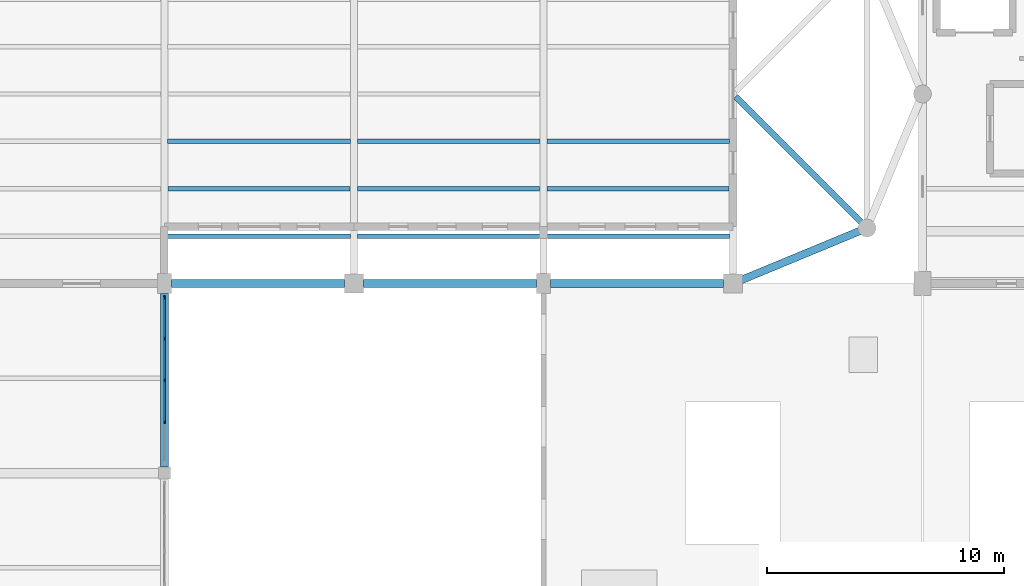
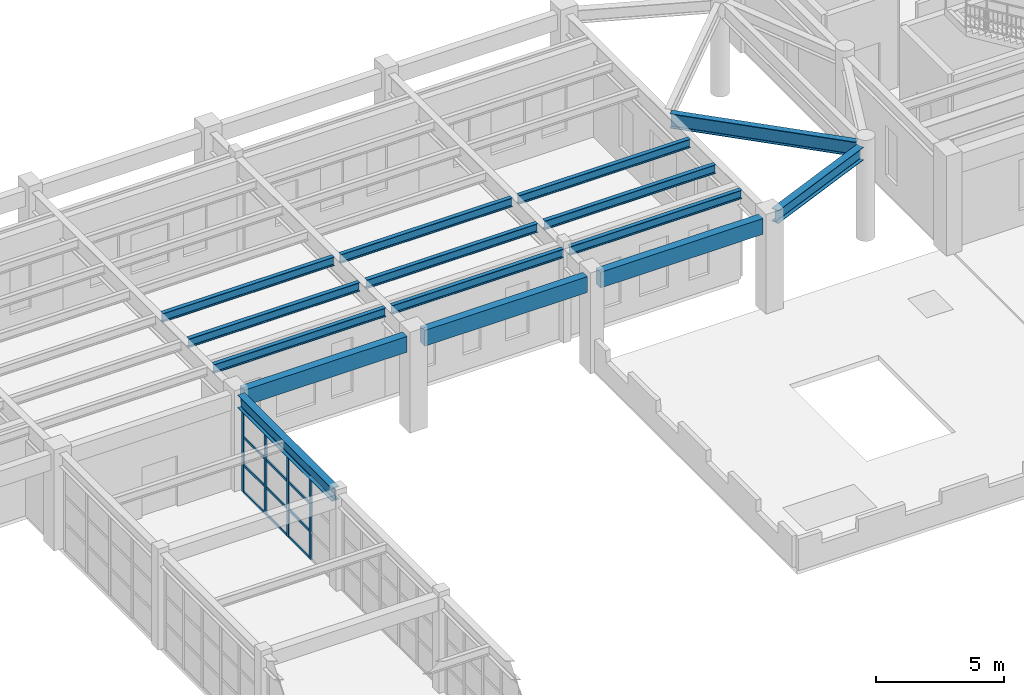
# One storey, part 26 of 59: 16 members, 15 beams, 1 element without a shape of its own.
"""IFC4 building model written with IfcOpenShell, lengths in metres."""

from ifc_helpers import new_model, si_unit, direction, frame, origin, origin_2d, place, context, subcontext, project, spatial, rectangle, i_section, extrude, material, material_profile, profile_set, type_object, element, aggregate, save


model = new_model("IFC4")

# Units and contexts
model_context = context("Model", 3, precision=1e-05, world=origin(), true_north=direction((0.0, 1.0)))
body_context = subcontext(model_context, "Body", "Model", "MODEL_VIEW")
ifc_project = project(units=[si_unit("LENGTHUNIT", "METRE"), si_unit("AREAUNIT", "SQUARE_METRE"), si_unit("VOLUMEUNIT", "CUBIC_METRE"), si_unit("PLANEANGLEUNIT", "RADIAN"), si_unit("MASSUNIT", "GRAM", prefix="KILO")], contexts=[model_context])

# Site, building, storey
site_placement = place(None, origin())
site = spatial("IfcSite", under=ifc_project, at=site_placement, CompositionType="ELEMENT")
building_placement = place(site_placement, origin())
building = spatial("IfcBuilding", under=site, at=building_placement, Name="Serraluz Foothill Cableway Terminal", CompositionType="ELEMENT")
storey_placement = place(building_placement, frame((0.0, 0.0, 4.800048828125)))
storey = spatial("IfcBuildingStorey", under=building, at=storey_placement, Name="L01", CompositionType="ELEMENT", Elevation=4.800048828125)

# Beams
ifc_material_1 = material(Name="Steel ASTM A992 Grade 50", Category="steel")
ifc_material_profile_1 = material_profile(ifc_material_1, i_section(OverallWidth=0.324951171875, OverallDepth=0.615966796875, WebThickness=0.013916015625, FlangeThickness=0.021484375, FilletRadius=0.01806640625, at=origin_2d()), Name="W24X117")
ifc_profile_set_1 = profile_set([ifc_material_profile_1], Name="Steel ASTM A992 Grade 50")
beam_type_1 = type_object("IfcBeamType", Name="TYP-BM-W24X117", PredefinedType="BEAM", material=ifc_profile_set_1)
beam_1_placement = place(storey_placement, frame((128.0, 48.24609375, 4.251953125), z_axis=(0.0, 1.0, 0.0), x_axis=(-1.0, 0.0, 0.0)))
element("IfcBeam", 1, at=beam_1_placement, inside=storey, type_object=beam_type_1, Name="Transverse Girder BM-Y-L01-0286", PredefinedType="BEAM", context=body_context, shape_type="SweptSolid", body=[
    extrude(i_section(OverallWidth=0.324951171875, OverallDepth=0.615966796875, WebThickness=0.013916015625, FlangeThickness=0.021484375, FilletRadius=0.01806640625, at=origin_2d()), origin(), (0.0, 0.0, 1.0), 7.3330078125),
])
beam_2_placement = place(storey_placement, frame((152.314208984375, 56.130126953125, 4.1669921875), z_axis=(0.923888361565, 0.382662116449, 0.0), x_axis=(-0.382662116449, 0.923888361565, 0.0)))
element("IfcBeam", 2, at=beam_2_placement, inside=storey, type_object=beam_type_1, Name="Curved End Ring Beam E-L01-1", PredefinedType="BEAM", context=body_context, shape_type="SweptSolid", body=[
    extrude(i_section(OverallWidth=0.324951171875, OverallDepth=0.615966796875, WebThickness=0.013916015625, FlangeThickness=0.021484375, FilletRadius=0.01806640625, at=origin_2d()), origin(), (0.0, 0.0, 1.0), 5.44287109375),
])
ifc_material_profile_2 = material_profile(ifc_material_1, i_section(OverallWidth=0.256103515625, OverallDepth=0.693115234375, WebThickness=0.014404296875, FlangeThickness=0.023681640625, FilletRadius=0.02001953125, at=origin_2d()), Name="W27X114")
ifc_profile_set_2 = profile_set([ifc_material_profile_2], Name="Steel ASTM A992 Grade 50")
beam_type_2 = type_object("IfcBeamType", Name="TYP-BM-W27X114", PredefinedType="BEAM", material=ifc_profile_set_2)
beam_3_placement = place(storey_placement, frame((152.113037109375, 63.886962890625, 4.12841796875), z_axis=(0.707106781187, -0.707106781187, 0.0), x_axis=(0.707106781187, 0.707106781187, 0.0)))
element("IfcBeam", 3, at=beam_3_placement, inside=storey, type_object=beam_type_2, Name="Radial Station Deck Girder E-L01-1", PredefinedType="BEAM", context=body_context, shape_type="SweptSolid", body=[
    extrude(i_section(OverallWidth=0.256103515625, OverallDepth=0.693115234375, WebThickness=0.014404296875, FlangeThickness=0.023681640625, FilletRadius=0.02001953125, at=origin_2d()), origin(), (0.0, 0.0, 1.0), 7.500244140625),
])

# Curtain wall, members
ifc_material_2 = material(Name="Architectural bronze alloy C28000", Category="aluminium")
curtain_wall_type = type_object("IfcCurtainWallType", Name="TYP-CW-710X420", PredefinedType="NOTDEFINED", material=ifc_material_2)
curtain_wall_placement = place(storey_placement, origin())
curtain_wall = element("IfcCurtainWall", 4, at=curtain_wall_placement, inside=storey, type_object=curtain_wall_type, Name="Ribbed Glazed Curtain Wall CW-CLE-L01-48", PredefinedType="NOTDEFINED")
ifc_material_profile_3 = material_profile(ifc_material_2, rectangle(XDim=0.06005859375, YDim=0.159912109375, at=origin_2d()), Name="ALU MULLION 60x160")
ifc_profile_set_3 = profile_set([ifc_material_profile_3], Name="Architectural bronze alloy C28000")
member_type_1 = type_object("IfcMemberType", Name="TYP-CW-MUL-60X160", PredefinedType="MULLION", material=ifc_profile_set_3)
member_1_placement = place(storey_placement, frame((128.0, 55.405029296875, 0.0), z_axis=(0.0, 0.0, 1.0), x_axis=(1.0, 0.0, 0.0)))
member_1 = element("IfcMember", 5, at=member_1_placement, type_object=member_type_1, Name="CW-01 mullion 1", PredefinedType="MULLION", context=body_context, shape_type="SweptSolid", body=[
    extrude(rectangle(XDim=0.06005859375, YDim=0.159912109375, at=origin_2d()), origin(), (0.0, 0.0, 1.0), 3.94384765625),
])
member_2_placement = place(storey_placement, frame((128.0, 53.673828125, 0.0), z_axis=(0.0, 0.0, 1.0), x_axis=(1.0, 0.0, 0.0)))
member_2 = element("IfcMember", 6, at=member_2_placement, type_object=member_type_1, Name="CW-01 mullion 2", PredefinedType="MULLION", context=body_context, shape_type="SweptSolid", body=[
    extrude(rectangle(XDim=0.06005859375, YDim=0.159912109375, at=origin_2d()), origin(), (0.0, 0.0, 1.0), 3.94384765625),
])
member_3_placement = place(storey_placement, frame((128.0, 51.91259765625, 0.0), z_axis=(0.0, 0.0, 1.0), x_axis=(1.0, 0.0, 0.0)))
member_3 = element("IfcMember", 7, at=member_3_placement, type_object=member_type_1, Name="CW-01 mullion 3", PredefinedType="MULLION", context=body_context, shape_type="SweptSolid", body=[
    extrude(rectangle(XDim=0.06005859375, YDim=0.159912109375, at=origin_2d()), origin(), (0.0, 0.0, 1.0), 3.94384765625),
])
member_4_placement = place(storey_placement, frame((128.0, 50.1513671875, 0.0), z_axis=(0.0, 0.0, 1.0), x_axis=(1.0, 0.0, 0.0)))
member_4 = element("IfcMember", 8, at=member_4_placement, type_object=member_type_1, Name="CW-01 mullion 4", PredefinedType="MULLION", context=body_context, shape_type="SweptSolid", body=[
    extrude(rectangle(XDim=0.06005859375, YDim=0.159912109375, at=origin_2d()), origin(), (0.0, 0.0, 1.0), 3.94384765625),
])
ifc_material_profile_4 = material_profile(ifc_material_2, rectangle(XDim=0.06005859375, YDim=0.1201171875, at=origin_2d()), Name="ALU TRANSOM 60x120")
ifc_profile_set_4 = profile_set([ifc_material_profile_4], Name="Architectural bronze alloy C28000")
member_type_2 = type_object("IfcMemberType", Name="TYP-CW-TRN-60X120", PredefinedType="USERDEFINED", material=ifc_profile_set_4)
member_5_placement = place(storey_placement, frame((128.0, 55.375, 0.030029296875), z_axis=(0.0, -1.0, 0.0), x_axis=(1.0, 0.0, 0.0)))
member_5 = element("IfcMember", 9, at=member_5_placement, type_object=member_type_2, Name="CW-01 transom 1.1", ObjectType="TRANSOM", PredefinedType="USERDEFINED", context=body_context, shape_type="SweptSolid", body=[
    extrude(rectangle(XDim=0.06005859375, YDim=0.1201171875, at=origin_2d()), origin(), (0.0, 0.0, 1.0), 1.671142578125),
])
member_6_placement = place(storey_placement, frame((128.0, 55.375, 1.314697265625), z_axis=(0.0, -1.0, 0.0), x_axis=(1.0, 0.0, 0.0)))
member_6 = element("IfcMember", 10, at=member_6_placement, type_object=member_type_2, Name="CW-01 transom 1.2", ObjectType="TRANSOM", PredefinedType="USERDEFINED", context=body_context, shape_type="SweptSolid", body=[
    extrude(rectangle(XDim=0.06005859375, YDim=0.1201171875, at=origin_2d()), origin(), (0.0, 0.0, 1.0), 1.671142578125),
])
member_7_placement = place(storey_placement, frame((128.0, 55.375, 2.629150390625), z_axis=(0.0, -1.0, 0.0), x_axis=(1.0, 0.0, 0.0)))
member_7 = element("IfcMember", 11, at=member_7_placement, type_object=member_type_2, Name="CW-01 transom 1.3", ObjectType="TRANSOM", PredefinedType="USERDEFINED", context=body_context, shape_type="SweptSolid", body=[
    extrude(rectangle(XDim=0.06005859375, YDim=0.1201171875, at=origin_2d()), origin(), (0.0, 0.0, 1.0), 1.671142578125),
])
member_8_placement = place(storey_placement, frame((128.0, 55.375, 3.9140625), z_axis=(0.0, -1.0, 0.0), x_axis=(1.0, 0.0, 0.0)))
member_8 = element("IfcMember", 12, at=member_8_placement, type_object=member_type_2, Name="CW-01 transom 1.4", ObjectType="TRANSOM", PredefinedType="USERDEFINED", context=body_context, shape_type="SweptSolid", body=[
    extrude(rectangle(XDim=0.06005859375, YDim=0.1201171875, at=origin_2d()), origin(), (0.0, 0.0, 1.0), 1.671142578125),
])
member_9_placement = place(storey_placement, frame((128.0, 53.643798828125, 0.030029296875), z_axis=(0.0, -1.0, 0.0), x_axis=(1.0, 0.0, 0.0)))
member_9 = element("IfcMember", 13, at=member_9_placement, type_object=member_type_2, Name="CW-01 transom 2.1", ObjectType="TRANSOM", PredefinedType="USERDEFINED", context=body_context, shape_type="SweptSolid", body=[
    extrude(rectangle(XDim=0.06005859375, YDim=0.1201171875, at=origin_2d()), origin(), (0.0, 0.0, 1.0), 1.701416015625),
])
member_10_placement = place(storey_placement, frame((128.0, 53.643798828125, 1.314697265625), z_axis=(0.0, -1.0, 0.0), x_axis=(1.0, 0.0, 0.0)))
member_10 = element("IfcMember", 14, at=member_10_placement, type_object=member_type_2, Name="CW-01 transom 2.2", ObjectType="TRANSOM", PredefinedType="USERDEFINED", context=body_context, shape_type="SweptSolid", body=[
    extrude(rectangle(XDim=0.06005859375, YDim=0.1201171875, at=origin_2d()), origin(), (0.0, 0.0, 1.0), 1.701416015625),
])
member_11_placement = place(storey_placement, frame((128.0, 53.643798828125, 2.629150390625), z_axis=(0.0, -1.0, 0.0), x_axis=(1.0, 0.0, 0.0)))
member_11 = element("IfcMember", 15, at=member_11_placement, type_object=member_type_2, Name="CW-01 transom 2.3", ObjectType="TRANSOM", PredefinedType="USERDEFINED", context=body_context, shape_type="SweptSolid", body=[
    extrude(rectangle(XDim=0.06005859375, YDim=0.1201171875, at=origin_2d()), origin(), (0.0, 0.0, 1.0), 1.701416015625),
])
member_12_placement = place(storey_placement, frame((128.0, 53.643798828125, 3.9140625), z_axis=(0.0, -1.0, 0.0), x_axis=(1.0, 0.0, 0.0)))
member_12 = element("IfcMember", 16, at=member_12_placement, type_object=member_type_2, Name="CW-01 transom 2.4", ObjectType="TRANSOM", PredefinedType="USERDEFINED", context=body_context, shape_type="SweptSolid", body=[
    extrude(rectangle(XDim=0.06005859375, YDim=0.1201171875, at=origin_2d()), origin(), (0.0, 0.0, 1.0), 1.701416015625),
])
member_13_placement = place(storey_placement, frame((128.0, 51.882568359375, 0.030029296875), z_axis=(0.0, -1.0, 0.0), x_axis=(1.0, 0.0, 0.0)))
member_13 = element("IfcMember", 17, at=member_13_placement, type_object=member_type_2, Name="CW-01 transom 3.1", ObjectType="TRANSOM", PredefinedType="USERDEFINED", context=body_context, shape_type="SweptSolid", body=[
    extrude(rectangle(XDim=0.06005859375, YDim=0.1201171875, at=origin_2d()), origin(), (0.0, 0.0, 1.0), 1.701416015625),
])
member_14_placement = place(storey_placement, frame((128.0, 51.882568359375, 1.314697265625), z_axis=(0.0, -1.0, 0.0), x_axis=(1.0, 0.0, 0.0)))
member_14 = element("IfcMember", 18, at=member_14_placement, type_object=member_type_2, Name="CW-01 transom 3.2", ObjectType="TRANSOM", PredefinedType="USERDEFINED", context=body_context, shape_type="SweptSolid", body=[
    extrude(rectangle(XDim=0.06005859375, YDim=0.1201171875, at=origin_2d()), origin(), (0.0, 0.0, 1.0), 1.701416015625),
])
member_15_placement = place(storey_placement, frame((128.0, 51.882568359375, 2.629150390625), z_axis=(0.0, -1.0, 0.0), x_axis=(1.0, 0.0, 0.0)))
member_15 = element("IfcMember", 19, at=member_15_placement, type_object=member_type_2, Name="CW-01 transom 3.3", ObjectType="TRANSOM", PredefinedType="USERDEFINED", context=body_context, shape_type="SweptSolid", body=[
    extrude(rectangle(XDim=0.06005859375, YDim=0.1201171875, at=origin_2d()), origin(), (0.0, 0.0, 1.0), 1.701416015625),
])
member_16_placement = place(storey_placement, frame((128.0, 51.882568359375, 3.9140625), z_axis=(0.0, -1.0, 0.0), x_axis=(1.0, 0.0, 0.0)))
member_16 = element("IfcMember", 20, at=member_16_placement, type_object=member_type_2, Name="CW-01 transom 3.4", ObjectType="TRANSOM", PredefinedType="USERDEFINED", context=body_context, shape_type="SweptSolid", body=[
    extrude(rectangle(XDim=0.06005859375, YDim=0.1201171875, at=origin_2d()), origin(), (0.0, 0.0, 1.0), 1.701416015625),
])
aggregate(curtain_wall, [member_1, member_2, member_3, member_4, member_5, member_6, member_7, member_8, member_9, member_10, member_11, member_12, member_13, member_14, member_15, member_16])

# Beams
ifc_material_profile_5 = material_profile(ifc_material_1, i_section(OverallWidth=0.180908203125, OverallDepth=0.4169921875, WebThickness=0.010986328125, FlangeThickness=0.018310546875, FilletRadius=0.013916015625, at=origin_2d()), Name="W16X57")
ifc_profile_set_5 = profile_set([ifc_material_profile_5], Name="Steel ASTM A992 Grade 50")
beam_type_3 = type_object("IfcBeamType", Name="TYP-JS-W16X57", PredefinedType="JOIST", material=ifc_profile_set_5)
for number, where, z_axis, x_axis, name in (
    (21, (128.158935546875, 60.0, 4.266357421875), (1.0, 0.0, 0.0), (0.0, 1.0, 0.0), "Secondary Floor Joist JS-L01-0115"),
    (22, (136.158935546875, 60.0, 4.266357421875), (1.0, 0.0, 0.0), (0.0, 1.0, 0.0), "Secondary Floor Joist JS-L01-0118"),
    (23, (144.158935546875, 60.0, 4.266357421875), (1.0, 0.0, 0.0), (0.0, 1.0, 0.0), "Secondary Floor Joist JS-L01-0121"),
):
    element("IfcBeam", number, at=place(storey_placement, frame(where, z_axis=z_axis, x_axis=x_axis)), inside=storey, type_object=beam_type_3, Name=name, PredefinedType="JOIST", context=body_context, shape_type="SweptSolid", body=[
        extrude(i_section(OverallWidth=0.180908203125, OverallDepth=0.4169921875, WebThickness=0.010986328125, FlangeThickness=0.018310546875, FilletRadius=0.013916015625, at=origin_2d()), origin(), (0.0, 0.0, 1.0), 7.68212890625),
    ])
for number, where, z_axis, x_axis, name in (
    (24, (128.139892578125, 58.0, 4.266357421875), (1.0, 0.0, 0.0), (0.0, 1.0, 0.0), "Composite Deck Joist L01-058"),
    (25, (128.139892578125, 62.0, 4.266357421875), (1.0, 0.0, 0.0), (0.0, 1.0, 0.0), "Composite Deck Joist L01-059"),
    (26, (136.139892578125, 58.0, 4.266357421875), (1.0, 0.0, 0.0), (0.0, 1.0, 0.0), "Composite Deck Joist L01-062"),
    (27, (136.139892578125, 62.0, 4.266357421875), (1.0, 0.0, 0.0), (0.0, 1.0, 0.0), "Composite Deck Joist L01-063"),
    (28, (144.139892578125, 58.0, 4.266357421875), (1.0, 0.0, 0.0), (0.0, 1.0, 0.0), "Composite Deck Joist L01-066"),
    (29, (144.139892578125, 62.0, 4.266357421875), (1.0, 0.0, 0.0), (0.0, 1.0, 0.0), "Composite Deck Joist L01-067"),
):
    element("IfcBeam", number, at=place(storey_placement, frame(where, z_axis=z_axis, x_axis=x_axis)), inside=storey, type_object=beam_type_3, Name=name, PredefinedType="JOIST", context=body_context, shape_type="SweptSolid", body=[
        extrude(i_section(OverallWidth=0.180908203125, OverallDepth=0.4169921875, WebThickness=0.010986328125, FlangeThickness=0.018310546875, FilletRadius=0.013916015625, at=origin_2d()), origin(), (0.0, 0.0, 1.0), 7.72021484375),
    ])
ifc_material_3 = material(Name="Precast concrete C40/50", Category="concrete")
ifc_material_profile_6 = material_profile(ifc_material_3, rectangle(XDim=0.35009765625, YDim=0.75, at=origin_2d()), Name="RC SP 350x750")
ifc_profile_set_6 = profile_set([ifc_material_profile_6], Name="Precast concrete C40/50")
beam_type_4 = type_object("IfcBeamType", Name="TYP-SP-RC350X750", PredefinedType="SPANDREL", material=ifc_profile_set_6)
for number, where, z_axis, x_axis, name in (
    (30, (128.2958984375, 56.0, 4.099853515625), (1.0, 0.0, 0.0), (0.0, 1.0, 0.0), "Primary Girder BM-X-L01-0212"),
    (31, (136.39599609375, 56.0, 4.099853515625), (1.0, 0.0, 0.0), (0.0, 1.0, 0.0), "Primary Girder BM-X-L01-0213"),
    (32, (144.2958984375, 56.0, 4.099853515625), (1.0, 0.0, 0.0), (0.0, 1.0, 0.0), "Primary Girder BM-X-L01-0214"),
):
    element("IfcBeam", number, at=place(storey_placement, frame(where, z_axis=z_axis, x_axis=x_axis)), inside=storey, type_object=beam_type_4, Name=name, PredefinedType="SPANDREL", context=body_context, shape_type="SweptSolid", body=[
        extrude(rectangle(XDim=0.35009765625, YDim=0.75, at=origin_2d()), origin(), (0.0, 0.0, 1.0), 7.30810546875),
    ])

save(model, "model.ifc")
